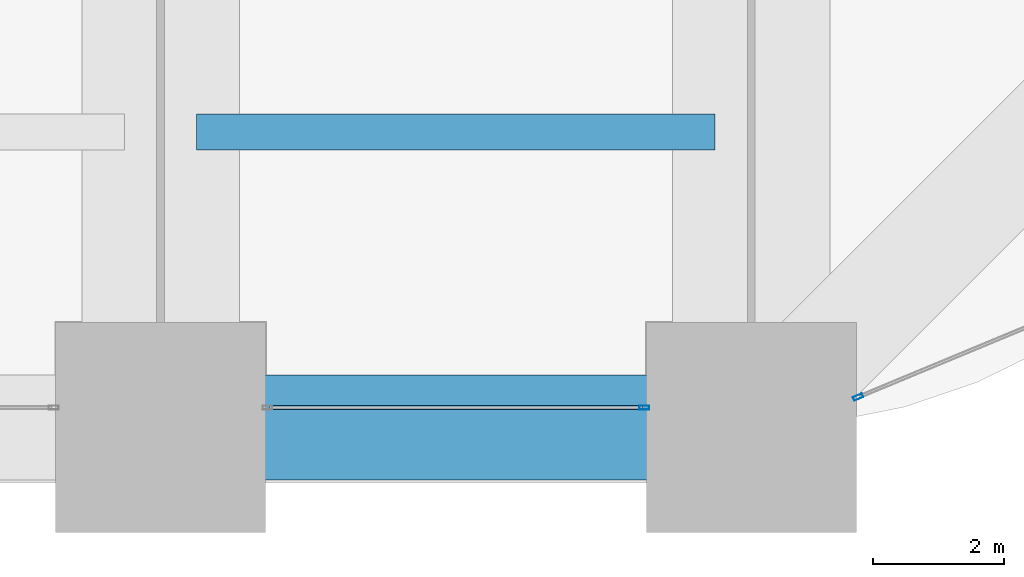
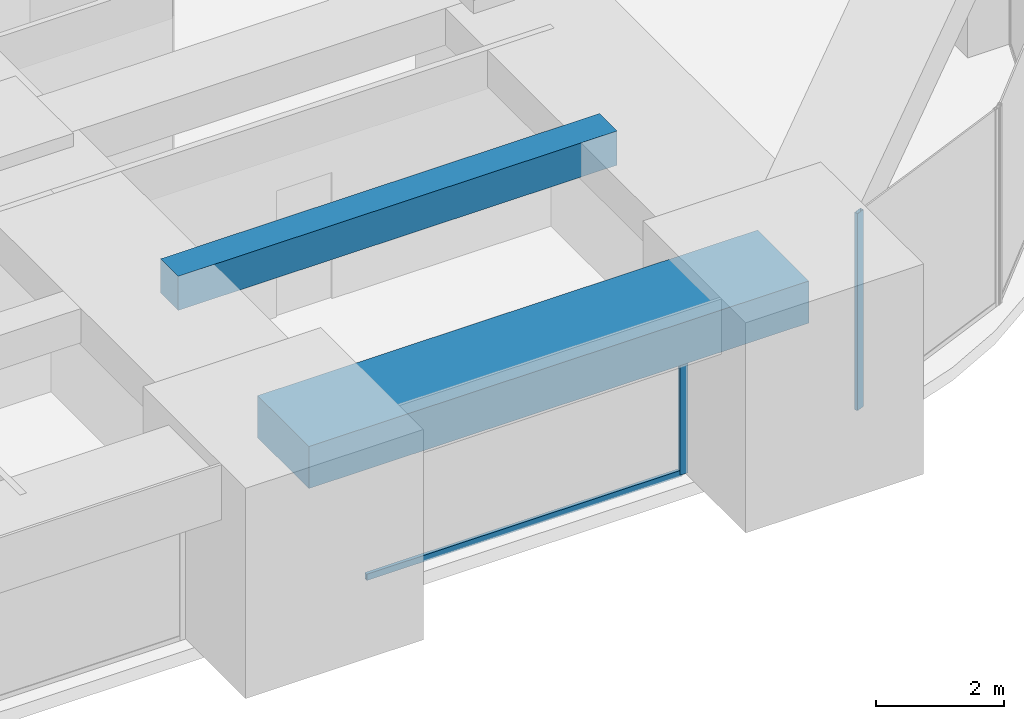
# One storey, part 15 of 36: 3 members, 2 beams, 2 elements without a shape of their own.
"""IFC4 building model written with IfcOpenShell, lengths in metres."""

from ifc_helpers import new_model, si_unit, direction, frame, origin, origin_2d, place, context, subcontext, project, spatial, rectangle, hollow_rectangle, extrude, material, material_profile, profile_set, type_object, element, aggregate, save


model = new_model("IFC4")

# Units and contexts
model_context = context("Model", 3, precision=1e-05, world=origin(), true_north=direction((0.0, 1.0)))
body_context = subcontext(model_context, "Body", "Model", "MODEL_VIEW")
ifc_project = project(units=[si_unit("LENGTHUNIT", "METRE"), si_unit("AREAUNIT", "SQUARE_METRE"), si_unit("VOLUMEUNIT", "CUBIC_METRE"), si_unit("PLANEANGLEUNIT", "RADIAN"), si_unit("MASSUNIT", "GRAM", prefix="KILO")], contexts=[model_context])

# Site, building, storey
site_placement = place(None, origin())
site = spatial("IfcSite", under=ifc_project, at=site_placement, CompositionType="ELEMENT")
building_placement = place(site_placement, origin())
building = spatial("IfcBuilding", under=site, at=building_placement, Name="Zorevar Civic Tower", CompositionType="ELEMENT")
storey_placement = place(building_placement, frame((0.0, 0.0, 166.199951171875)))
storey = spatial("IfcBuildingStorey", under=building, at=storey_placement, Name="L40", CompositionType="ELEMENT", Elevation=166.199951171875)

# Beam
ifc_material_1 = material(Name="Concrete C50/60", Category="concrete")
ifc_material_profile_1 = material_profile(ifc_material_1, rectangle(XDim=0.550048828125, YDim=0.64990234375, at=origin_2d()), Name="RC 550x650")
ifc_profile_set_1 = profile_set([ifc_material_profile_1], Name="Concrete C50/60")
beam_type_1 = type_object("IfcBeamType", Name="Beam RC 550x650", PredefinedType="BEAM", material=ifc_profile_set_1)
beam_1_placement = place(storey_placement, frame((36.550048828125, 4.5, 3.425048828125), z_axis=(1.0, 0.0, 0.0), x_axis=(0.0, 1.0, 0.0)))
element("IfcBeam", 1, at=beam_1_placement, inside=storey, type_object=beam_type_1, Name="Secondary beam L41", PredefinedType="BEAM", context=body_context, shape_type="SweptSolid", body=[
    extrude(rectangle(XDim=0.550048828125, YDim=0.64990234375, at=origin_2d()), origin(), (0.0, 0.0, 1.0), 7.89990234375),
])

# Curtain wall, member
ifc_material_2 = material(Name="Dark grey solar-control glass in black aluminium frame", Category="aluminium")
curtain_wall_type = type_object("IfcCurtainWallType", Name="Curtain wall CW4 high zone", PredefinedType="NOTDEFINED", material=ifc_material_2)
curtain_wall_1_placement = place(storey_placement, origin())
curtain_wall_1 = element("IfcCurtainWall", 2, at=curtain_wall_1_placement, inside=storey, type_object=curtain_wall_type, Name="CW4 L40", PredefinedType="NOTDEFINED")
ifc_material_3 = material(Name="Aluminium, black anodised", Category="aluminium")
ifc_material_profile_2 = material_profile(ifc_material_3, hollow_rectangle(XDim=0.06005859375, YDim=0.14990234375, WallThickness=0.00390625, at=origin_2d()), Name="AL 150x60x4")
ifc_profile_set_2 = profile_set([ifc_material_profile_2], Name="Aluminium, black anodised")
member_type_1 = type_object("IfcMemberType", Name="CW4 mullion AL 150x60x4", PredefinedType="MULLION", material=ifc_profile_set_2)
member_1_placement = place(storey_placement, frame((43.3701171875, 0.300048828125, 0.0), z_axis=(0.0, 0.0, 1.0), x_axis=(0.0, 1.0, 0.0)))
member_1 = element("IfcMember", 3, at=member_1_placement, type_object=member_type_1, Name="CW4 mullion 2", PredefinedType="MULLION", context=body_context, shape_type="SweptSolid", body=[
    extrude(hollow_rectangle(XDim=0.06005859375, YDim=0.14990234375, WallThickness=0.00390625, at=origin_2d()), origin(), (0.0, 0.0, 1.0), 2.949951171875),
])

curtain_wall_2_placement = place(storey_placement, origin())
curtain_wall_2 = element("IfcCurtainWall", 4, at=curtain_wall_2_placement, inside=storey, type_object=curtain_wall_type, Name="CW4 L40", PredefinedType="NOTDEFINED")
member_2_placement = place(storey_placement, frame((46.627685546875, 0.4599609375, 0.0), z_axis=(0.0, 0.0, 1.0), x_axis=(-0.383728339979, 0.923446025005, 0.0)))
member_2 = element("IfcMember", 5, at=member_2_placement, type_object=member_type_1, Name="CW4 mullion 1", PredefinedType="MULLION", context=body_context, shape_type="SweptSolid", body=[
    extrude(hollow_rectangle(XDim=0.06005859375, YDim=0.14990234375, WallThickness=0.00390625, at=origin_2d()), origin(), (0.0, 0.0, 1.0), 3.75),
])
aggregate(curtain_wall_2, [member_2])

# Member
ifc_material_4 = material(Name="Aluminium, black anodised", Category="aluminium")
ifc_material_profile_3 = material_profile(ifc_material_4, hollow_rectangle(XDim=0.06005859375, YDim=0.1201171875, WallThickness=0.0029296875, at=origin_2d()), Name="AL 120x60x3")
ifc_profile_set_3 = profile_set([ifc_material_profile_3], Name="Aluminium, black anodised")
member_type_2 = type_object("IfcMemberType", Name="CW4 transom AL 120x60x3", PredefinedType="USERDEFINED", material=ifc_profile_set_3)
member_3_placement = place(storey_placement, frame((37.659912109375, 0.300048828125, 0.030029296875), z_axis=(1.0, 0.0, 0.0), x_axis=(0.0, 1.0, 0.0)))
member_3 = element("IfcMember", 6, at=member_3_placement, type_object=member_type_2, Name="CW4 sill transom", ObjectType="TRANSOM", PredefinedType="USERDEFINED", context=body_context, shape_type="SweptSolid", body=[
    extrude(hollow_rectangle(XDim=0.06005859375, YDim=0.1201171875, WallThickness=0.0029296875, at=origin_2d()), origin(), (0.0, 0.0, 1.0), 5.68017578125),
])

aggregate(curtain_wall_1, [member_1, member_3])

# Beam
ifc_material_5 = material(Name="Concrete C50/60", Category="concrete")
ifc_material_profile_4 = material_profile(ifc_material_5, rectangle(XDim=1.60009765625, YDim=0.800048828125, at=origin_2d()), Name="RC 1600x800")
ifc_profile_set_4 = profile_set([ifc_material_profile_4], Name="Concrete C50/60")
beam_type_2 = type_object("IfcBeamType", Name="Edge beam RC 1600x800", PredefinedType="SPANDREL", material=ifc_profile_set_4)
beam_2_placement = place(storey_placement, frame((36.0, 0.0, 3.35009765625), z_axis=(1.0, 0.0, 0.0), x_axis=(0.0, 1.0, 0.0)))
element("IfcBeam", 7, at=beam_2_placement, inside=storey, type_object=beam_type_2, Name="Edge beam L41", PredefinedType="SPANDREL", context=body_context, shape_type="SweptSolid", body=[
    extrude(rectangle(XDim=1.60009765625, YDim=0.800048828125, at=origin_2d()), origin(), (0.0, 0.0, 1.0), 9.0),
])

save(model, "model.ifc")
